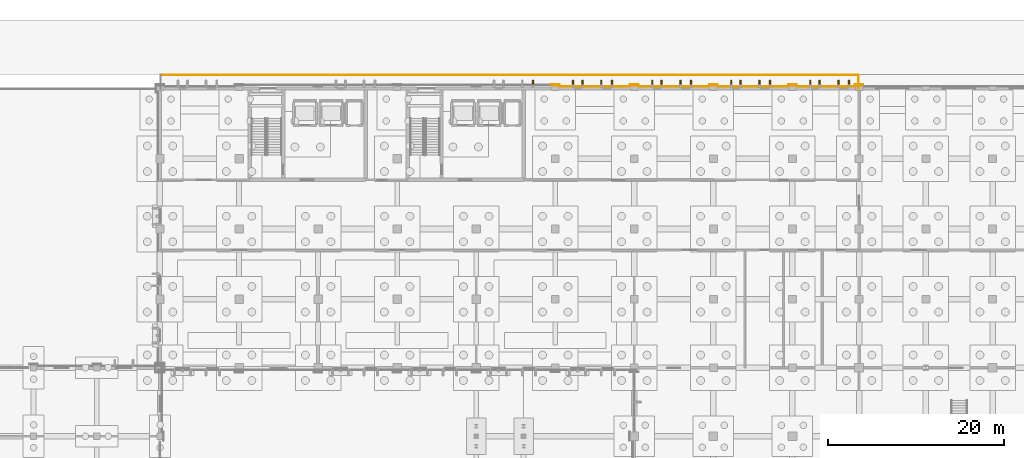
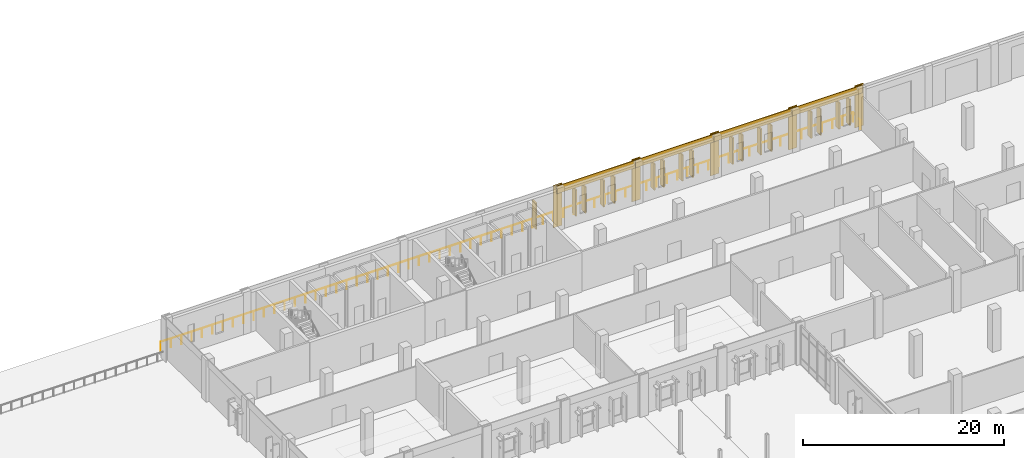
# One storey, part 90 of 94: 17 shading devices, 9 coverings, 2 railings.
"""IFC4 building model written with IfcOpenShell, lengths in metres."""

from ifc_helpers import new_model, si_unit, direction, frame, origin, origin_2d, place, context, subcontext, project, spatial, rectangle, circle, extrude, material, layer, layer_set, type_object, element, save


model = new_model("IFC4")

# Units and contexts
model_context = context("Model", 3, precision=1e-05, world=origin(), true_north=direction((0.0, 1.0)))
body_context = subcontext(model_context, "Body", "Model", "MODEL_VIEW")
ifc_project = project(units=[si_unit("LENGTHUNIT", "METRE"), si_unit("AREAUNIT", "SQUARE_METRE"), si_unit("VOLUMEUNIT", "CUBIC_METRE"), si_unit("PLANEANGLEUNIT", "RADIAN"), si_unit("MASSUNIT", "GRAM", prefix="KILO")], contexts=[model_context])

# Site, building, storey
site_placement = place(None, origin())
site = spatial("IfcSite", under=ifc_project, at=site_placement, CompositionType="ELEMENT")
building_placement = place(site_placement, origin())
building = spatial("IfcBuilding", under=site, at=building_placement, Name="Vervanel Yard Central Library", CompositionType="ELEMENT")
storey_placement = place(building_placement, origin())
storey = spatial("IfcBuildingStorey", under=building, at=storey_placement, Name="L00", CompositionType="ELEMENT", Elevation=0.0)

# Coverings
ifc_material_1 = material(Name="Precast concrete C45/55", Category="concrete")
ifc_layer = layer(ifc_material_1, 0.0849609375, Category="concrete")
ifc_layer_set = layer_set([ifc_layer], Name="Precast concrete C45/55")
covering_type = type_object("IfcCoveringType", Name="Bush-Hammered Precast Architectural Cladding Panel", PredefinedType="CLADDING", material=ifc_layer_set)
covering_1_placement = place(storey_placement, frame((81.0, 114.467529296875, 0.0), z_axis=(0.0, 0.0, 1.0), x_axis=(1.0, 0.0, 0.0)))
element("IfcCovering", 1, at=covering_1_placement, inside=storey, type_object=covering_type, Name="L00 Precast Concrete Pier Pilaster EWALL-L00-0005-B", PredefinedType="CLADDING", context=body_context, shape_type="SweptSolid", body=[
    extrude(rectangle(XDim=0.97998046875, YDim=0.0849609375, at=origin_2d()), origin(), (0.0, 0.0, 1.0), 5.1201171875),
])
covering_2_placement = place(storey_placement, frame((85.5, 114.22998046875, 4.179931640625), z_axis=(0.0, 0.0, 1.0), x_axis=(1.0, 0.0, 0.0)))
element("IfcCovering", 2, at=covering_2_placement, inside=storey, type_object=covering_type, Name="L00 Precast Concrete Spandrel Cornice EWALL-L00-0006", PredefinedType="CLADDING", context=body_context, shape_type="SweptSolid", body=[
    extrude(rectangle(XDim=9.449951171875, YDim=0.0849609375, at=origin_2d()), origin(), (0.0, 0.0, 1.0), 0.93994140625),
])
covering_3_placement = place(storey_placement, frame((90.0, 114.467529296875, 0.0), z_axis=(0.0, 0.0, 1.0), x_axis=(1.0, 0.0, 0.0)))
element("IfcCovering", 3, at=covering_3_placement, inside=storey, type_object=covering_type, Name="L00 Precast Concrete Pier Pilaster EWALL-L00-0006-B", PredefinedType="CLADDING", context=body_context, shape_type="SweptSolid", body=[
    extrude(rectangle(XDim=0.97998046875, YDim=0.0849609375, at=origin_2d()), origin(), (0.0, 0.0, 1.0), 5.1201171875),
])
covering_4_placement = place(storey_placement, frame((94.5, 114.22998046875, 4.179931640625), z_axis=(0.0, 0.0, 1.0), x_axis=(1.0, 0.0, 0.0)))
element("IfcCovering", 4, at=covering_4_placement, inside=storey, type_object=covering_type, Name="L00 Precast Concrete Spandrel Cornice EWALL-L00-0007", PredefinedType="CLADDING", context=body_context, shape_type="SweptSolid", body=[
    extrude(rectangle(XDim=9.449951171875, YDim=0.0849609375, at=origin_2d()), origin(), (0.0, 0.0, 1.0), 0.93994140625),
])
covering_5_placement = place(storey_placement, frame((99.0, 114.467529296875, 0.0), z_axis=(0.0, 0.0, 1.0), x_axis=(1.0, 0.0, 0.0)))
element("IfcCovering", 5, at=covering_5_placement, inside=storey, type_object=covering_type, Name="L00 Precast Concrete Pier Pilaster EWALL-L00-0007-B", PredefinedType="CLADDING", context=body_context, shape_type="SweptSolid", body=[
    extrude(rectangle(XDim=0.97998046875, YDim=0.0849609375, at=origin_2d()), origin(), (0.0, 0.0, 1.0), 5.1201171875),
])
covering_6_placement = place(storey_placement, frame((103.5, 114.22998046875, 4.179931640625), z_axis=(0.0, 0.0, 1.0), x_axis=(1.0, 0.0, 0.0)))
element("IfcCovering", 6, at=covering_6_placement, inside=storey, type_object=covering_type, Name="L00 Precast Concrete Spandrel Cornice EWALL-L00-0008", PredefinedType="CLADDING", context=body_context, shape_type="SweptSolid", body=[
    extrude(rectangle(XDim=9.449951171875, YDim=0.0849609375, at=origin_2d()), origin(), (0.0, 0.0, 1.0), 0.93994140625),
])
covering_7_placement = place(storey_placement, frame((108.0, 114.467529296875, 0.0), z_axis=(0.0, 0.0, 1.0), x_axis=(1.0, 0.0, 0.0)))
element("IfcCovering", 7, at=covering_7_placement, inside=storey, type_object=covering_type, Name="L00 Precast Concrete Pier Pilaster EWALL-L00-0008-B", PredefinedType="CLADDING", context=body_context, shape_type="SweptSolid", body=[
    extrude(rectangle(XDim=0.97998046875, YDim=0.0849609375, at=origin_2d()), origin(), (0.0, 0.0, 1.0), 5.1201171875),
])
covering_8_placement = place(storey_placement, frame((111.800048828125, 114.22998046875, 4.179931640625), z_axis=(0.0, 0.0, 1.0), x_axis=(1.0, 0.0, 0.0)))
element("IfcCovering", 8, at=covering_8_placement, inside=storey, type_object=covering_type, Name="L00 Precast Concrete Spandrel Cornice EWALL-L00-0009", PredefinedType="CLADDING", context=body_context, shape_type="SweptSolid", body=[
    extrude(rectangle(XDim=8.050048828125, YDim=0.0849609375, at=origin_2d()), origin(), (0.0, 0.0, 1.0), 0.93994140625),
])
covering_9_placement = place(storey_placement, frame((115.60009765625, 114.467529296875, 0.0), z_axis=(0.0, 0.0, 1.0), x_axis=(1.0, 0.0, 0.0)))
element("IfcCovering", 9, at=covering_9_placement, inside=storey, type_object=covering_type, Name="L00 Precast Concrete Pier Pilaster EWALL-L00-0009-B", PredefinedType="CLADDING", context=body_context, shape_type="SweptSolid", body=[
    extrude(rectangle(XDim=0.97998046875, YDim=0.0849609375, at=origin_2d()), origin(), (0.0, 0.0, 1.0), 5.1201171875),
])

# Railings
ifc_material_2 = material(Name="Brushed stainless steel AISI 316", Category="steel")
railing_type = type_object("IfcRailingType", Name="Exterior Terrace Guardrail 1100", PredefinedType="GUARDRAIL", material=ifc_material_2)
railing_1_placement = place(storey_placement, frame((36.080078125, 115.52001953125, 0.0)))
element("IfcRailing", 10, at=railing_1_placement, inside=storey, type_object=railing_type, Name="L00 North Spine Exit Walkway Stoop Edge Guard 16", PredefinedType="GUARDRAIL", context=body_context, shape_type="SweptSolid", body=[
    extrude(circle(Radius=0.02392578125, at=origin_2d()), frame((0.0, 0.0, 1.076171875), z_axis=(1.0, 0.0, 0.0), x_axis=(0.0, 1.0, 0.0)), (0.0, 0.0, 1.0), 79.43994140625),
    extrude(circle(Radius=0.02099609375, at=origin_2d()), origin(), (0.0, 0.0, 1.0), 1.052001953125),
    extrude(circle(Radius=0.02099609375, at=origin_2d()), frame((1.185791015625, 0.0, 0.0)), (0.0, 0.0, 1.0), 1.052001953125),
    extrude(circle(Radius=0.02099609375, at=origin_2d()), frame((2.371337890625, 0.0, 0.0)), (0.0, 0.0, 1.0), 1.052001953125),
    extrude(circle(Radius=0.02099609375, at=origin_2d()), frame((3.55712890625, 0.0, 0.0)), (0.0, 0.0, 1.0), 1.052001953125),
    extrude(circle(Radius=0.02099609375, at=origin_2d()), frame((4.74267578125, 0.0, 0.0)), (0.0, 0.0, 1.0), 1.052001953125),
    extrude(circle(Radius=0.02099609375, at=origin_2d()), frame((5.928466796875, 0.0, 0.0)), (0.0, 0.0, 1.0), 1.052001953125),
    extrude(circle(Radius=0.02099609375, at=origin_2d()), frame((7.114013671875, 0.0, 0.0)), (0.0, 0.0, 1.0), 1.052001953125),
    extrude(circle(Radius=0.02099609375, at=origin_2d()), frame((8.2998046875, 0.0, 0.0)), (0.0, 0.0, 1.0), 1.052001953125),
    extrude(circle(Radius=0.02099609375, at=origin_2d()), frame((9.4853515625, 0.0, 0.0)), (0.0, 0.0, 1.0), 1.052001953125),
    extrude(circle(Radius=0.02099609375, at=origin_2d()), frame((10.671142578125, 0.0, 0.0)), (0.0, 0.0, 1.0), 1.052001953125),
    extrude(circle(Radius=0.02099609375, at=origin_2d()), frame((11.856689453125, 0.0, 0.0)), (0.0, 0.0, 1.0), 1.052001953125),
    extrude(circle(Radius=0.02099609375, at=origin_2d()), frame((13.04248046875, 0.0, 0.0)), (0.0, 0.0, 1.0), 1.052001953125),
    extrude(circle(Radius=0.02099609375, at=origin_2d()), frame((14.22802734375, 0.0, 0.0)), (0.0, 0.0, 1.0), 1.052001953125),
    extrude(circle(Radius=0.02099609375, at=origin_2d()), frame((15.413818359375, 0.0, 0.0)), (0.0, 0.0, 1.0), 1.052001953125),
    extrude(circle(Radius=0.02099609375, at=origin_2d()), frame((16.599365234375, 0.0, 0.0)), (0.0, 0.0, 1.0), 1.052001953125),
    extrude(circle(Radius=0.02099609375, at=origin_2d()), frame((17.78515625, 0.0, 0.0)), (0.0, 0.0, 1.0), 1.052001953125),
    extrude(circle(Radius=0.02099609375, at=origin_2d()), frame((18.970703125, 0.0, 0.0)), (0.0, 0.0, 1.0), 1.052001953125),
    extrude(circle(Radius=0.02099609375, at=origin_2d()), frame((20.156494140625, 0.0, 0.0)), (0.0, 0.0, 1.0), 1.052001953125),
    extrude(circle(Radius=0.02099609375, at=origin_2d()), frame((21.342041015625, 0.0, 0.0)), (0.0, 0.0, 1.0), 1.052001953125),
    extrude(circle(Radius=0.02099609375, at=origin_2d()), frame((22.52783203125, 0.0, 0.0)), (0.0, 0.0, 1.0), 1.052001953125),
    extrude(circle(Radius=0.02099609375, at=origin_2d()), frame((23.71337890625, 0.0, 0.0)), (0.0, 0.0, 1.0), 1.052001953125),
    extrude(circle(Radius=0.02099609375, at=origin_2d()), frame((24.899169921875, 0.0, 0.0)), (0.0, 0.0, 1.0), 1.052001953125),
    extrude(circle(Radius=0.02099609375, at=origin_2d()), frame((26.084716796875, 0.0, 0.0)), (0.0, 0.0, 1.0), 1.052001953125),
    extrude(circle(Radius=0.02099609375, at=origin_2d()), frame((27.2705078125, 0.0, 0.0)), (0.0, 0.0, 1.0), 1.052001953125),
    extrude(circle(Radius=0.02099609375, at=origin_2d()), frame((28.4560546875, 0.0, 0.0)), (0.0, 0.0, 1.0), 1.052001953125),
    extrude(circle(Radius=0.02099609375, at=origin_2d()), frame((29.641845703125, 0.0, 0.0)), (0.0, 0.0, 1.0), 1.052001953125),
    extrude(circle(Radius=0.02099609375, at=origin_2d()), frame((30.827392578125, 0.0, 0.0)), (0.0, 0.0, 1.0), 1.052001953125),
    extrude(circle(Radius=0.02099609375, at=origin_2d()), frame((32.01318359375, 0.0, 0.0)), (0.0, 0.0, 1.0), 1.052001953125),
    extrude(circle(Radius=0.02099609375, at=origin_2d()), frame((33.19873046875, 0.0, 0.0)), (0.0, 0.0, 1.0), 1.052001953125),
    extrude(circle(Radius=0.02099609375, at=origin_2d()), frame((34.384521484375, 0.0, 0.0)), (0.0, 0.0, 1.0), 1.052001953125),
    extrude(circle(Radius=0.02099609375, at=origin_2d()), frame((35.570068359375, 0.0, 0.0)), (0.0, 0.0, 1.0), 1.052001953125),
    extrude(circle(Radius=0.02099609375, at=origin_2d()), frame((36.755859375, 0.0, 0.0)), (0.0, 0.0, 1.0), 1.052001953125),
    extrude(circle(Radius=0.02099609375, at=origin_2d()), frame((37.94140625, 0.0, 0.0)), (0.0, 0.0, 1.0), 1.052001953125),
    extrude(circle(Radius=0.02099609375, at=origin_2d()), frame((39.127197265625, 0.0, 0.0)), (0.0, 0.0, 1.0), 1.052001953125),
    extrude(circle(Radius=0.02099609375, at=origin_2d()), frame((40.312744140625, 0.0, 0.0)), (0.0, 0.0, 1.0), 1.052001953125),
    extrude(circle(Radius=0.02099609375, at=origin_2d()), frame((41.49853515625, 0.0, 0.0)), (0.0, 0.0, 1.0), 1.052001953125),
    extrude(circle(Radius=0.02099609375, at=origin_2d()), frame((42.68408203125, 0.0, 0.0)), (0.0, 0.0, 1.0), 1.052001953125),
    extrude(circle(Radius=0.02099609375, at=origin_2d()), frame((43.869873046875, 0.0, 0.0)), (0.0, 0.0, 1.0), 1.052001953125),
    extrude(circle(Radius=0.02099609375, at=origin_2d()), frame((45.055419921875, 0.0, 0.0)), (0.0, 0.0, 1.0), 1.052001953125),
    extrude(circle(Radius=0.02099609375, at=origin_2d()), frame((46.2412109375, 0.0, 0.0)), (0.0, 0.0, 1.0), 1.052001953125),
    extrude(circle(Radius=0.02099609375, at=origin_2d()), frame((47.4267578125, 0.0, 0.0)), (0.0, 0.0, 1.0), 1.052001953125),
    extrude(circle(Radius=0.02099609375, at=origin_2d()), frame((48.612548828125, 0.0, 0.0)), (0.0, 0.0, 1.0), 1.052001953125),
    extrude(circle(Radius=0.02099609375, at=origin_2d()), frame((49.798095703125, 0.0, 0.0)), (0.0, 0.0, 1.0), 1.052001953125),
    extrude(circle(Radius=0.02099609375, at=origin_2d()), frame((50.98388671875, 0.0, 0.0)), (0.0, 0.0, 1.0), 1.052001953125),
    extrude(circle(Radius=0.02099609375, at=origin_2d()), frame((52.16943359375, 0.0, 0.0)), (0.0, 0.0, 1.0), 1.052001953125),
    extrude(circle(Radius=0.02099609375, at=origin_2d()), frame((53.355224609375, 0.0, 0.0)), (0.0, 0.0, 1.0), 1.052001953125),
    extrude(circle(Radius=0.02099609375, at=origin_2d()), frame((54.540771484375, 0.0, 0.0)), (0.0, 0.0, 1.0), 1.052001953125),
    extrude(circle(Radius=0.02099609375, at=origin_2d()), frame((55.7265625, 0.0, 0.0)), (0.0, 0.0, 1.0), 1.052001953125),
    extrude(circle(Radius=0.02099609375, at=origin_2d()), frame((56.912109375, 0.0, 0.0)), (0.0, 0.0, 1.0), 1.052001953125),
    extrude(circle(Radius=0.02099609375, at=origin_2d()), frame((58.097900390625, 0.0, 0.0)), (0.0, 0.0, 1.0), 1.052001953125),
    extrude(circle(Radius=0.02099609375, at=origin_2d()), frame((59.283447265625, 0.0, 0.0)), (0.0, 0.0, 1.0), 1.052001953125),
    extrude(circle(Radius=0.02099609375, at=origin_2d()), frame((60.46923828125, 0.0, 0.0)), (0.0, 0.0, 1.0), 1.052001953125),
    extrude(circle(Radius=0.02099609375, at=origin_2d()), frame((61.65478515625, 0.0, 0.0)), (0.0, 0.0, 1.0), 1.052001953125),
    extrude(circle(Radius=0.02099609375, at=origin_2d()), frame((62.840576171875, 0.0, 0.0)), (0.0, 0.0, 1.0), 1.052001953125),
    extrude(circle(Radius=0.02099609375, at=origin_2d()), frame((64.026123046875, 0.0, 0.0)), (0.0, 0.0, 1.0), 1.052001953125),
    extrude(circle(Radius=0.02099609375, at=origin_2d()), frame((65.2119140625, 0.0, 0.0)), (0.0, 0.0, 1.0), 1.052001953125),
    extrude(circle(Radius=0.02099609375, at=origin_2d()), frame((66.3974609375, 0.0, 0.0)), (0.0, 0.0, 1.0), 1.052001953125),
    extrude(circle(Radius=0.02099609375, at=origin_2d()), frame((67.583251953125, 0.0, 0.0)), (0.0, 0.0, 1.0), 1.052001953125),
    extrude(circle(Radius=0.02099609375, at=origin_2d()), frame((68.768798828125, 0.0, 0.0)), (0.0, 0.0, 1.0), 1.052001953125),
    extrude(circle(Radius=0.02099609375, at=origin_2d()), frame((69.95458984375, 0.0, 0.0)), (0.0, 0.0, 1.0), 1.052001953125),
    extrude(circle(Radius=0.02099609375, at=origin_2d()), frame((71.14013671875, 0.0, 0.0)), (0.0, 0.0, 1.0), 1.052001953125),
    extrude(circle(Radius=0.02099609375, at=origin_2d()), frame((72.325927734375, 0.0, 0.0)), (0.0, 0.0, 1.0), 1.052001953125),
    extrude(circle(Radius=0.02099609375, at=origin_2d()), frame((73.511474609375, 0.0, 0.0)), (0.0, 0.0, 1.0), 1.052001953125),
    extrude(circle(Radius=0.02099609375, at=origin_2d()), frame((74.697265625, 0.0, 0.0)), (0.0, 0.0, 1.0), 1.052001953125),
    extrude(circle(Radius=0.02099609375, at=origin_2d()), frame((75.8828125, 0.0, 0.0)), (0.0, 0.0, 1.0), 1.052001953125),
    extrude(circle(Radius=0.02099609375, at=origin_2d()), frame((77.068603515625, 0.0, 0.0)), (0.0, 0.0, 1.0), 1.052001953125),
    extrude(circle(Radius=0.02099609375, at=origin_2d()), frame((78.254150390625, 0.0, 0.0)), (0.0, 0.0, 1.0), 1.052001953125),
    extrude(circle(Radius=0.02099609375, at=origin_2d()), frame((79.43994140625, 0.0, 0.0)), (0.0, 0.0, 1.0), 1.052001953125),
])
railing_2_placement = place(storey_placement, frame((115.52001953125, 115.52001953125, 0.0)))
element("IfcRailing", 11, at=railing_2_placement, inside=storey, type_object=railing_type, Name="L00 North Spine Exit Walkway Stoop Edge Guard 17", PredefinedType="GUARDRAIL", context=body_context, shape_type="SweptSolid", body=[
    extrude(circle(Radius=0.02392578125, at=origin_2d()), frame((0.0, 0.0, 1.076171875), z_axis=(0.0, -1.0, 0.0), x_axis=(1.0, 0.0, 0.0)), (0.0, 0.0, 1.0), 1.52001953125),
    extrude(circle(Radius=0.02099609375, at=origin_2d()), origin(), (0.0, 0.0, 1.0), 1.052001953125),
    extrude(circle(Radius=0.02099609375, at=origin_2d()), frame((0.0, -0.760009765625, 0.0)), (0.0, 0.0, 1.0), 1.052001953125),
    extrude(circle(Radius=0.02099609375, at=origin_2d()), frame((0.0, -1.52001953125, 0.0)), (0.0, 0.0, 1.0), 1.052001953125),
])

# Shading devices
shading_device_type = type_object("IfcShadingDeviceType", Name="Vertical Precast Solar Fin 160x720x3200", PredefinedType="JALOUSIE", material=ifc_material_1)
for number, where, z_axis, x_axis, name in (
    (12, (78.4599609375, 114.590087890625, 0.64990234375), (0.0, 0.0, 1.0), (1.0, 0.0, 0.0), "L00 Precast Solar Fin 12"),
    (13, (83.0400390625, 114.590087890625, 0.64990234375), (0.0, 0.0, 1.0), (1.0, 0.0, 0.0), "L00 Precast Solar Fin 13"),
    (14, (84.110107421875, 114.590087890625, 0.64990234375), (0.0, 0.0, 1.0), (1.0, 0.0, 0.0), "L00 Precast Solar Fin 14"),
    (15, (86.239990234375, 114.590087890625, 0.64990234375), (0.0, 0.0, 1.0), (1.0, 0.0, 0.0), "L00 Precast Solar Fin 15"),
    (16, (87.4599609375, 114.590087890625, 0.64990234375), (0.0, 0.0, 1.0), (1.0, 0.0, 0.0), "L00 Precast Solar Fin 16"),
    (17, (92.0400390625, 114.590087890625, 0.64990234375), (0.0, 0.0, 1.0), (1.0, 0.0, 0.0), "L00 Precast Solar Fin 17"),
    (18, (93.110107421875, 114.590087890625, 0.64990234375), (0.0, 0.0, 1.0), (1.0, 0.0, 0.0), "L00 Precast Solar Fin 18"),
    (19, (95.239990234375, 114.590087890625, 0.64990234375), (0.0, 0.0, 1.0), (1.0, 0.0, 0.0), "L00 Precast Solar Fin 19"),
    (20, (96.4599609375, 114.590087890625, 0.64990234375), (0.0, 0.0, 1.0), (1.0, 0.0, 0.0), "L00 Precast Solar Fin 20"),
    (21, (101.0400390625, 114.590087890625, 0.64990234375), (0.0, 0.0, 1.0), (1.0, 0.0, 0.0), "L00 Precast Solar Fin 21"),
    (22, (102.110107421875, 114.590087890625, 0.64990234375), (0.0, 0.0, 1.0), (1.0, 0.0, 0.0), "L00 Precast Solar Fin 22"),
    (23, (104.239990234375, 114.590087890625, 0.64990234375), (0.0, 0.0, 1.0), (1.0, 0.0, 0.0), "L00 Precast Solar Fin 23"),
    (24, (105.4599609375, 114.590087890625, 0.64990234375), (0.0, 0.0, 1.0), (1.0, 0.0, 0.0), "L00 Precast Solar Fin 24"),
    (25, (110.0400390625, 114.590087890625, 0.64990234375), (0.0, 0.0, 1.0), (1.0, 0.0, 0.0), "L00 Precast Solar Fin 25"),
    (26, (111.110107421875, 114.590087890625, 0.64990234375), (0.0, 0.0, 1.0), (1.0, 0.0, 0.0), "L00 Precast Solar Fin 26"),
    (27, (113.239990234375, 114.590087890625, 0.64990234375), (0.0, 0.0, 1.0), (1.0, 0.0, 0.0), "L00 Precast Solar Fin 27"),
    (28, (114.4599609375, 114.590087890625, 0.64990234375), (0.0, 0.0, 1.0), (1.0, 0.0, 0.0), "L00 Precast Solar Fin 28"),
):
    element("IfcShadingDevice", number, at=place(storey_placement, frame(where, z_axis=z_axis, x_axis=x_axis)), inside=storey, type_object=shading_device_type, Name=name, PredefinedType="JALOUSIE", context=body_context, shape_type="SweptSolid", body=[
        extrude(rectangle(XDim=0.159912109375, YDim=0.719970703125, at=origin_2d()), origin(), (0.0, 0.0, 1.0), 3.199951171875),
    ])

save(model, "model.ifc")
